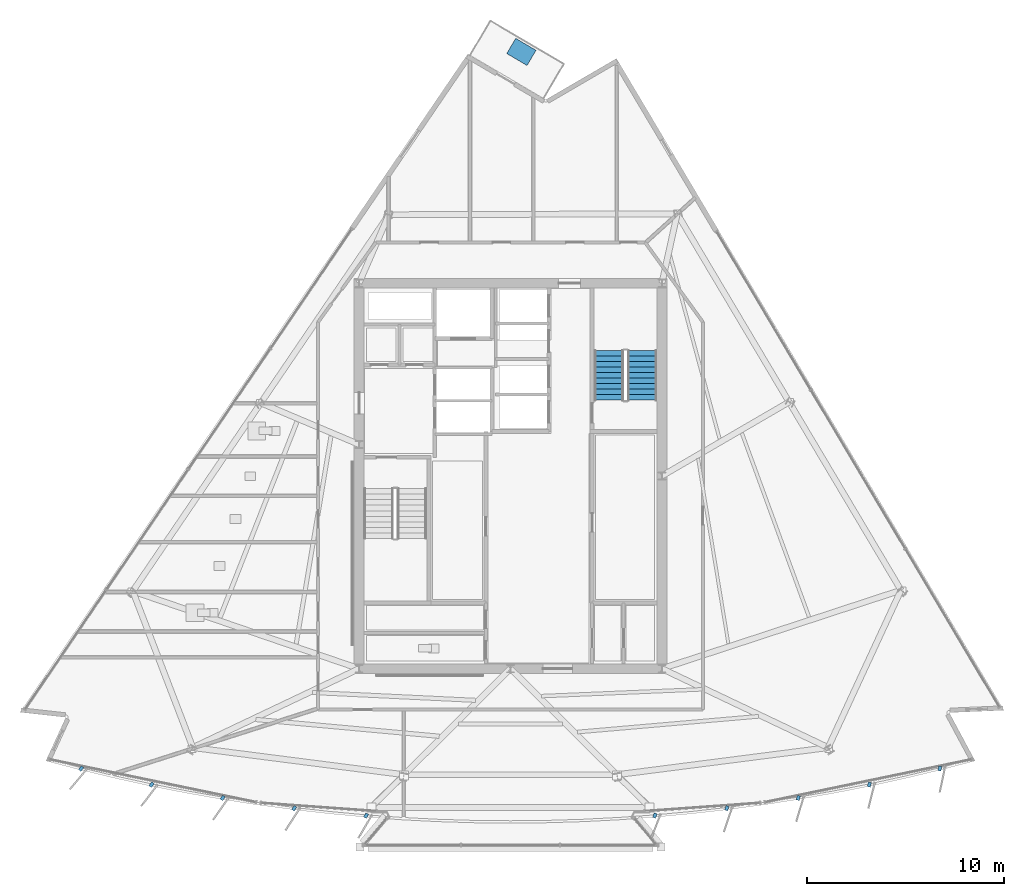
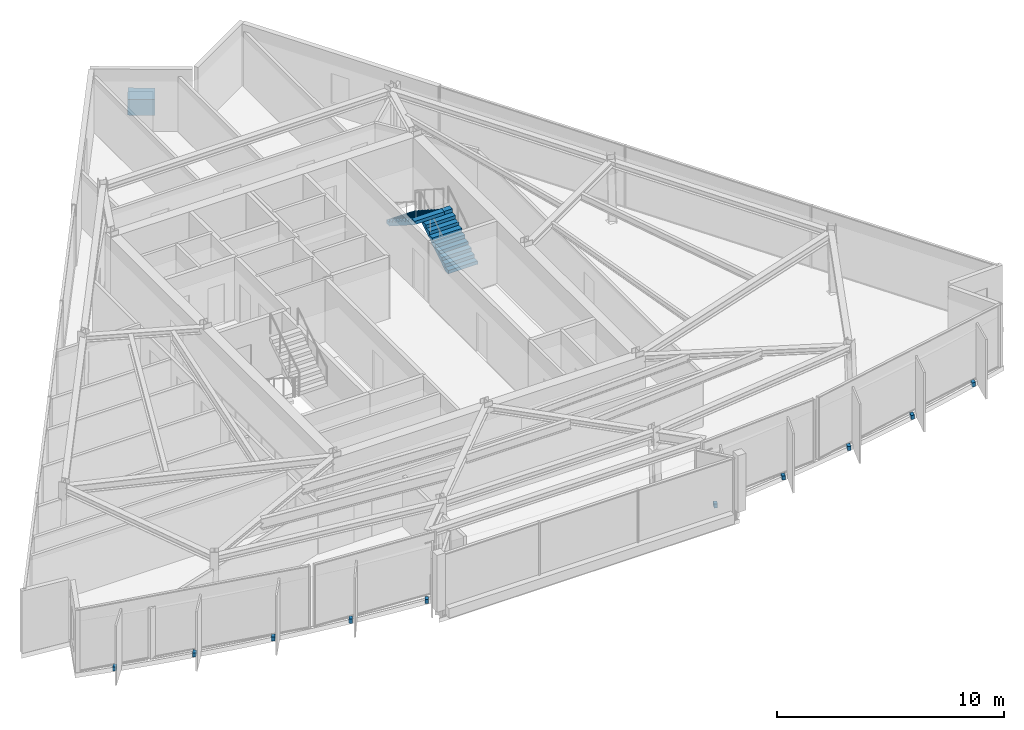
# One storey, part 10 of 14: 11 discrete accessories, 2 stair flights, 1 element without a shape of its own.
"""IFC4 building model written with IfcOpenShell, lengths in metres."""

import ifcopenshell
import ifcopenshell.guid

model = None  # the IFC model being written
_history = None  # IfcOwnerHistory: only IFC2X3 demands one
_inside = {}  # id of a spatial element -> (the spatial element, [elements in it])
_under = {}  # id of a project, library or spatial element -> (it, [spatial elements below it])
_declared = {}  # id of a project -> (the project, [libraries it declares])
_typed = {}  # id of a type object -> (the type object, [elements of that type])
_made_of = {}  # id of a material, layer set ... -> (it, [elements and type objects made of it])


def new_model(schema):
    """Start an empty IFC model of exactly this schema.

    Asked for "IFC4X3", IfcOpenShell would pick the latest addendum, in which some entities
    have other attributes; the version numbers below select the first issue.
    IFC2X3 requires an IfcOwnerHistory on every rooted entity: one is made here for all.
    """
    global model, _history
    if schema == "IFC4X3":
        model = ifcopenshell.file(schema_version=(4, 3, 0, 0))
    else:
        model = ifcopenshell.file(schema=schema)
    _inside.clear()
    _under.clear()
    _declared.clear()
    _typed.clear()
    _made_of.clear()
    _history = None
    if model.schema == "IFC2X3":
        org = make("IfcOrganization", Name="unknown")
        user = make(
            "IfcPersonAndOrganization",
            ThePerson=make("IfcPerson", FamilyName="unknown"),
            TheOrganization=org,
        )
        app = make(
            "IfcApplication",
            ApplicationDeveloper=org,
            Version="unknown",
            ApplicationFullName="unknown",
            ApplicationIdentifier="unknown",
        )
        _history = make(
            "IfcOwnerHistory",
            OwningUser=user,
            OwningApplication=app,
            ChangeAction="ADDED",
            CreationDate=0,
        )
    return model


def make(cls, **values):
    """One entity of the class cls with the attributes given. An attribute that is None is left unset."""
    return model.create_entity(
        cls, **{name: value for name, value in values.items() if value is not None}
    )


def rooted(cls, **values):
    """An entity with a GlobalId (a new one), such as an element, a storey or a relation."""
    return make(cls, GlobalId=ifcopenshell.guid.new(), OwnerHistory=_history, **values)


def si_unit(unit_type, name, prefix=None):
    """IfcSIUnit, for example si_unit("LENGTHUNIT", "METRE", prefix="MILLI")."""
    return make("IfcSIUnit", UnitType=unit_type, Prefix=prefix, Name=name)


def assignment(units):
    """IfcUnitAssignment: the units of a project."""
    return None if units is None else make("IfcUnitAssignment", Units=units)


def point(xyz):
    """IfcCartesianPoint."""
    return None if xyz is None else make("IfcCartesianPoint", Coordinates=xyz)


def direction(xyz):
    """IfcDirection."""
    return None if xyz is None else make("IfcDirection", DirectionRatios=xyz)


def frame(location, z_axis=None, x_axis=None):
    """IfcAxis2Placement3D, a coordinate frame: its origin and axes. An axis left out is left unset."""
    return make(
        "IfcAxis2Placement3D",
        Location=point(location),
        Axis=direction(z_axis),
        RefDirection=direction(x_axis),
    )


def frame_2d(location, x_axis=None):
    """IfcAxis2Placement2D, a coordinate frame in the plane: its origin and x axis."""
    return make(
        "IfcAxis2Placement2D", Location=point(location), RefDirection=direction(x_axis)
    )


def origin():
    """The frame at (0, 0, 0) with its axes left unset."""
    return frame((0.0, 0.0, 0.0))


def origin_2d():
    """The frame at (0, 0) in the plane with its x axis left unset."""
    return frame_2d((0.0, 0.0))


def place(relative_to, where):
    """IfcLocalPlacement: puts the frame where relative to a parent placement (None: the world)."""
    return make(
        "IfcLocalPlacement", PlacementRelTo=relative_to, RelativePlacement=where
    )


def context(
    kind, dimensions, precision=None, world=None, true_north=None, identifier=None
):
    """IfcGeometricRepresentationContext, for example the 3D "Model" context."""
    return make(
        "IfcGeometricRepresentationContext",
        ContextIdentifier=identifier,
        ContextType=kind,
        CoordinateSpaceDimension=dimensions,
        Precision=precision,
        WorldCoordinateSystem=world,
        TrueNorth=true_north,
    )


def subcontext(parent, identifier, kind, view, scale=None):
    """IfcGeometricRepresentationSubContext, for example "Body" below "Model"."""
    return make(
        "IfcGeometricRepresentationSubContext",
        ContextIdentifier=identifier,
        ContextType=kind,
        ParentContext=parent,
        TargetScale=scale,
        TargetView=view,
    )


def project(units=None, contexts=None):
    """IfcProject with its units and contexts."""
    return rooted(
        "IfcProject",
        Name="project",
        RepresentationContexts=contexts,
        UnitsInContext=assignment(units),
    )


def spatial(cls, under=None, at=None, **own):
    """A site, building, storey or space (cls), placed at a placement, below another one or the project."""
    s = rooted(cls, ObjectPlacement=at, **own)
    if under is not None:
        _under.setdefault(under.id(), (under, []))[1].append(s)
    return s


def polyline(points):
    """IfcPolyline through the points."""
    return make("IfcPolyline", Points=[point(p) for p in points])


def profile(cls, at=None, kind="AREA", **sizes):
    """A parametric profile (cls). Its sizes go by their IFC names, for example OverallWidth=200.0."""
    return make(cls, ProfileType=kind, Position=at, **sizes)


def rectangle(**sizes):
    """IfcRectangleProfileDef."""
    return profile("IfcRectangleProfileDef", **sizes)


def outline(outer, holes=None, kind="AREA"):
    """IfcArbitraryClosedProfileDef: a profile drawn as a closed curve; with holes, ...WithVoids."""
    if holes is None:
        return make("IfcArbitraryClosedProfileDef", ProfileType=kind, OuterCurve=outer)
    return make(
        "IfcArbitraryProfileDefWithVoids",
        ProfileType=kind,
        OuterCurve=outer,
        InnerCurves=holes,
    )


def extrude(swept, where, along, depth):
    """IfcExtrudedAreaSolid: the profile swept, set in the frame where, extruded along a direction by depth."""
    return make(
        "IfcExtrudedAreaSolid",
        SweptArea=swept,
        Position=where,
        ExtrudedDirection=direction(along),
        Depth=depth,
    )


def shape(context_of_items, identifier, shape_type, items):
    """IfcShapeRepresentation: the items that make up one representation, for example the "Body"."""
    return make(
        "IfcShapeRepresentation",
        ContextOfItems=context_of_items,
        RepresentationIdentifier=identifier,
        RepresentationType=shape_type,
        Items=items,
    )


def material(Name=None, Category=None):
    """IfcMaterial."""
    return make("IfcMaterial", Name=Name, Category=Category)


def made_of(thing, what):
    """Note that an element or type object is made of a material, layer set ...; save() writes the relation."""
    if what is not None:
        _made_of.setdefault(what.id(), (what, []))[1].append(thing)
    return thing


def type_object(cls, material=None, **own):
    """A type object (cls), such as IfcWallType, which elements share."""
    return made_of(rooted(cls, **own), material)


def element(
    cls,
    number,
    at=None,
    inside=None,
    cuts=None,
    type_object=None,
    material=None,
    context=None,
    identifier="Body",
    shape_type=None,
    held_by="IfcProductDefinitionShape",
    body=None,
    shapes=None,
    **own,
):
    """One element of the class cls, such as IfcWall. Its Tag is "e" and its number.

    at: its placement. inside: the storey or other place that contains it. cuts: it is an
    opening in that element (IfcRelVoidsElement). A single representation is given by context,
    identifier, shape_type and body (its items); several are given by shapes. held_by: the class
    of the entity that holds the representations. save() writes the other relations.
    """
    e = rooted(cls, Tag="e%d" % number, ObjectPlacement=at, **own)
    if body is not None:
        shapes = [shape(context, identifier, shape_type, body)]
    if shapes is not None:
        e.Representation = make(held_by, Representations=shapes)
    if inside is not None:
        _inside.setdefault(inside.id(), (inside, []))[1].append(e)
    if cuts is not None:
        rooted(
            "IfcRelVoidsElement", RelatingBuildingElement=cuts, RelatedOpeningElement=e
        )
    if type_object is not None:
        _typed.setdefault(type_object.id(), (type_object, []))[1].append(e)
    return made_of(e, material)


def aggregate(whole, parts):
    """IfcRelAggregates: a whole, such as a stair, and the parts it consists of."""
    return rooted("IfcRelAggregates", RelatingObject=whole, RelatedObjects=parts)


def save(model, path):
    """Write the relations noted so far, then the file.

    IfcRelAggregates (storeys below a building ...), IfcRelContainedInSpatialStructure (elements
    in a storey), IfcRelDefinesByType, IfcRelAssociatesMaterial and IfcRelDeclares: one each for
    every whole, place, type object, material and project.
    """
    for whole, parts in _under.values():
        aggregate(whole, parts)
    for where, things in _inside.values():
        rooted(
            "IfcRelContainedInSpatialStructure",
            RelatedElements=things,
            RelatingStructure=where,
        )
    for kind, things in _typed.values():
        rooted("IfcRelDefinesByType", RelatedObjects=things, RelatingType=kind)
    for what, things in _made_of.values():
        rooted("IfcRelAssociatesMaterial", RelatedObjects=things, RelatingMaterial=what)
    for by, libraries in _declared.values():
        rooted("IfcRelDeclares", RelatingContext=by, RelatedDefinitions=libraries)
    model.write(path)


model = new_model("IFC4")

# Units and contexts
model_context = context("Model", 3, precision=1e-05, world=origin(), true_north=direction((0.0, 1.0)))
body_context = subcontext(model_context, "Body", "Model", "MODEL_VIEW")
ifc_project = project(units=[si_unit("LENGTHUNIT", "METRE"), si_unit("AREAUNIT", "SQUARE_METRE"), si_unit("VOLUMEUNIT", "CUBIC_METRE"), si_unit("PLANEANGLEUNIT", "RADIAN"), si_unit("MASSUNIT", "GRAM", prefix="KILO")], contexts=[model_context])

# Site, building, storey
site_placement = place(None, origin())
site = spatial("IfcSite", under=ifc_project, at=site_placement, CompositionType="ELEMENT")
building_placement = place(site_placement, origin())
building = spatial("IfcBuilding", under=site, at=building_placement, Name="Savorim Split Tower", CompositionType="ELEMENT")
storey_placement = place(building_placement, frame((0.0, 0.0, 234.300048828125)))
storey = spatial("IfcBuildingStorey", under=building, at=storey_placement, Name="L62", CompositionType="ELEMENT", Elevation=234.300048828125)

# Stair, stair flights
ifc_material_1 = material(Name="Concrete C50/60", Category="concrete")
stair_type = type_object("IfcStairType", Name="STR-DOG-3600", PredefinedType="HALF_TURN_STAIR", material=ifc_material_1)
stair_placement = place(storey_placement, origin())
stair = element("IfcStair", 1, at=stair_placement, inside=storey, type_object=stair_type, Name="L62 Core Protected Exit Stair ST-2", PredefinedType="HALF_TURN_STAIR")
stair_flight_type = type_object("IfcStairFlightType", Name="SFL-DOG-3600", PredefinedType="STRAIGHT", material=ifc_material_1)
stair_flight_1_placement = place(storey_placement, frame((6.699951171875, 4.25, 0.0), z_axis=(0.0, 0.0, 1.0), x_axis=(0.0, 1.0, 0.0)))
stair_flight_1 = element("IfcStairFlight", 2, at=stair_flight_1_placement, type_object=stair_flight_type, Name="ST-2 flight 1", NumberOfRisers=10, NumberOfTreads=9, PredefinedType="STRAIGHT", RiserHeight=0.18, TreadLength=0.28, context=body_context, shape_type="SweptSolid", body=[
    extrude(outline(polyline([(0.0, 0.0), (0.0, 0.179931640625), (0.280029296875, 0.179931640625), (0.280029296875, 0.360107421875), (0.56005859375, 0.360107421875), (0.56005859375, 0.5400390625), (0.840087890625, 0.5400390625), (0.840087890625, 0.719970703125), (1.1201171875, 0.719970703125), (1.1201171875, 0.89990234375), (1.39990234375, 0.89990234375), (1.39990234375, 1.080078125), (1.679931640625, 1.080078125), (1.679931640625, 1.260009765625), (1.9599609375, 1.260009765625), (1.9599609375, 1.43994140625), (2.239990234375, 1.43994140625), (2.239990234375, 1.6201171875), (2.52001953125, 1.6201171875), (2.52001953125, 1.800048828125), (2.52001953125, 1.44189453125), (0.277099609375, 0.0), (0.0, 0.0)])), frame((0.0, 0.75, 0.0), z_axis=(0.0, -1.0, 0.0), x_axis=(1.0, 0.0, 0.0)), (0.0, 0.0, 1.0), 1.5),
])
stair_flight_2_placement = place(storey_placement, frame((5.0, 6.77001953125, 1.800048828125), z_axis=(0.0, 0.0, 1.0), x_axis=(0.0, -1.0, 0.0)))
stair_flight_2 = element("IfcStairFlight", 3, at=stair_flight_2_placement, type_object=stair_flight_type, Name="ST-2 flight 2", NumberOfRisers=10, NumberOfTreads=9, PredefinedType="STRAIGHT", RiserHeight=0.18, TreadLength=0.28, context=body_context, shape_type="SweptSolid", body=[
    extrude(outline(polyline([(0.0, 0.0), (0.0, 0.179931640625), (0.280029296875, 0.179931640625), (0.280029296875, 0.360107421875), (0.56005859375, 0.360107421875), (0.56005859375, 0.5400390625), (0.840087890625, 0.5400390625), (0.840087890625, 0.719970703125), (1.1201171875, 0.719970703125), (1.1201171875, 0.89990234375), (1.39990234375, 0.89990234375), (1.39990234375, 1.080078125), (1.679931640625, 1.080078125), (1.679931640625, 1.260009765625), (1.9599609375, 1.260009765625), (1.9599609375, 1.43994140625), (2.239990234375, 1.43994140625), (2.239990234375, 1.6201171875), (2.52001953125, 1.6201171875), (2.52001953125, 1.800048828125), (2.52001953125, 1.44189453125), (0.277099609375, 0.0), (0.0, 0.0)])), frame((0.0, 0.75, 0.0), z_axis=(0.0, -1.0, 0.0), x_axis=(1.0, 0.0, 0.0)), (0.0, 0.0, 1.0), 1.5),
])
aggregate(stair, [stair_flight_1, stair_flight_2])

# Discrete accessories
ifc_material_2 = material(Name="Steel S355", Category="steel")
discrete_accessory_type_1 = type_object("IfcDiscreteAccessoryType", Name="ACC-BRK-FIN", PredefinedType="BRACKET", material=ifc_material_2)
for number, where, z_axis, x_axis, name in (
    (4, (-21.830078125, -14.47900390625, -0.18994140625), (0.0, 0.0, 1.0), (-0.643719022682, -0.765261928909, 0.0), "L62 Fin Slab-Edge Cleat Bracket 01"),
    (5, (-18.247802734375, -15.29931640625, -0.18994140625), (0.0, 0.0, 1.0), (-0.611868076908, -0.790959832394, 0.0), "L62 Fin Slab-Edge Cleat Bracket 02"),
    (6, (-14.635009765625, -15.97216796875, -0.18994140625), (0.0, 0.0, 1.0), (-0.578993757737, -0.815331974414, 0.0), "L62 Fin Slab-Edge Cleat Bracket 03"),
    (7, (-10.997802734375, -16.496826171875, -0.18994140625), (0.0, 0.0, 1.0), (-0.545148321708, -0.838339613366, 0.0), "L62 Fin Slab-Edge Cleat Bracket 04"),
    (8, (-7.342041015625, -16.8720703125, -0.18994140625), (0.0, 0.0, 1.0), (-0.510391336723, -0.859942255851, 0.0), "L62 Fin Slab-Edge Cleat Bracket 05"),
    (9, (7.342041015625, -16.8720703125, -0.18994140625), (0.0, 0.0, 1.0), (-0.363415461732, -0.931627179817, 0.0), "L62 Fin Slab-Edge Cleat Bracket 09"),
    (10, (10.997802734375, -16.496826171875, -0.18994140625), (0.0, 0.0, 1.0), (-0.324993810493, -0.945716143005, 0.0), "L62 Fin Slab-Edge Cleat Bracket 10"),
    (11, (14.635009765625, -15.97216796875, -0.18994140625), (0.0, 0.0, 1.0), (-0.286026212504, -0.958221793616, 0.0), "L62 Fin Slab-Edge Cleat Bracket 11"),
    (12, (18.247802734375, -15.29931640625, -0.18994140625), (0.0, 0.0, 1.0), (-0.246581250663, -0.969122121727, 0.0), "L62 Fin Slab-Edge Cleat Bracket 12"),
    (13, (21.830078125, -14.47900390625, -0.18994140625), (0.0, 0.0, 1.0), (-0.206721626106, -0.978399800337, 0.0), "L62 Fin Slab-Edge Cleat Bracket 13"),
):
    element("IfcDiscreteAccessory", number, at=place(storey_placement, frame(where, z_axis=z_axis, x_axis=x_axis)), inside=storey, type_object=discrete_accessory_type_1, Name=name, PredefinedType="BRACKET", context=body_context, shape_type="SweptSolid", body=[
        extrude(rectangle(XDim=0.239990234375, YDim=0.159912109375, at=origin_2d()), origin(), (0.0, 0.0, 1.0), 0.219970703125),
    ])
ifc_material_3 = material(Name="Architectural Precast Planter Concrete C40/50", Category="concrete")
discrete_accessory_type_2 = type_object("IfcDiscreteAccessoryType", Name="ACC-PLN-TREE", PredefinedType="USERDEFINED", material=ifc_material_3)
discrete_accessory_placement = place(storey_placement, frame((0.55419921875, 21.95947265625, 0.0), z_axis=(0.0, 0.0, 1.0), x_axis=(-0.862123040175, 0.506698987171, 0.0)))
element("IfcDiscreteAccessory", 14, at=discrete_accessory_placement, inside=storey, type_object=discrete_accessory_type_2, Name="L62 Balcony Precast Tree Planter N", ObjectType="PLANTER", PredefinedType="USERDEFINED", context=body_context, shape_type="SweptSolid", body=[
    extrude(rectangle(XDim=1.199951171875, YDim=0.89990234375, at=origin_2d()), origin(), (0.0, 0.0, 1.0), 0.85009765625),
])

save(model, "model.ifc")
